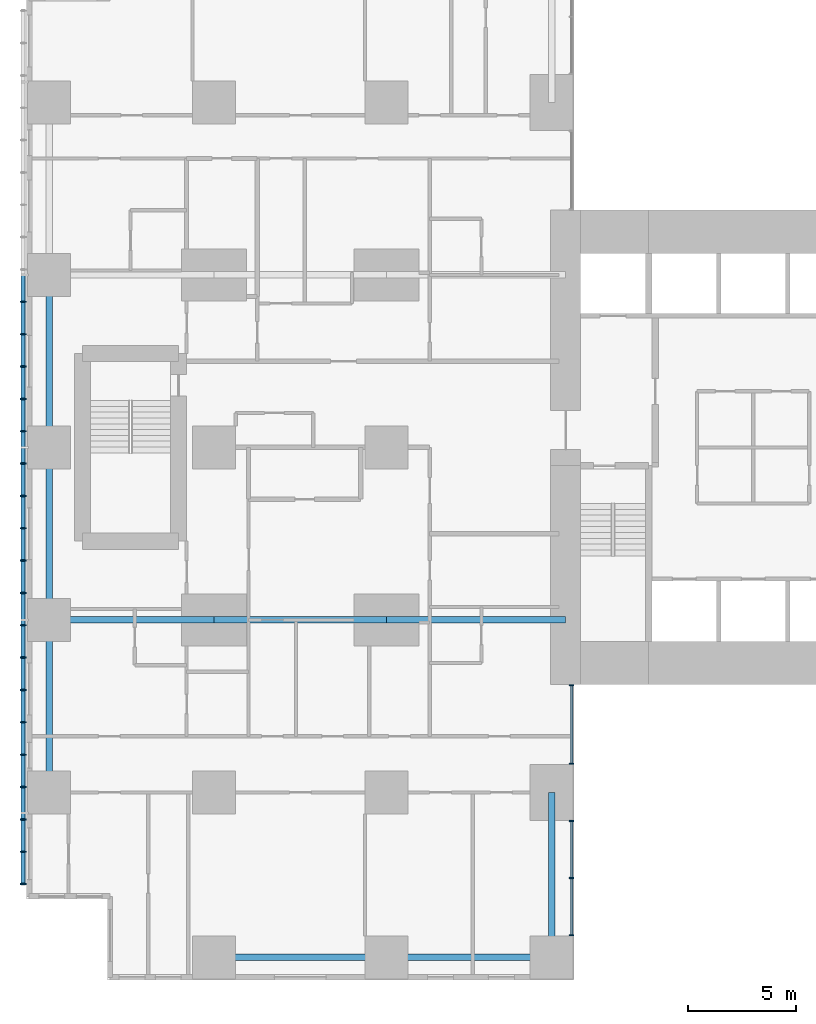
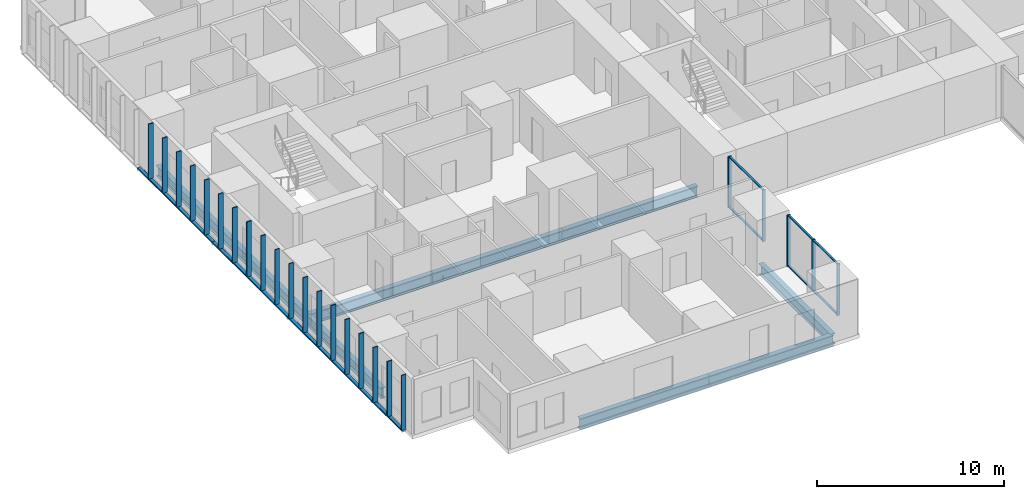
# One storey, part 2 of 20: 33 members, 9 beams, 2 elements without a shape of their own.
"""IFC4 building model written with IfcOpenShell, lengths in metres."""

from ifc_helpers import new_model, si_unit, direction, frame, origin, origin_2d, place, context, subcontext, project, spatial, rectangle, hollow_rectangle, i_section, extrude, material, layer, layer_set, material_profile, profile_set, type_object, element, aggregate, save


model = new_model("IFC4")

# Units and contexts
model_context = context("Model", 3, precision=1e-05, world=origin(), true_north=direction((0.0, 1.0)))
body_context = subcontext(model_context, "Body", "Model", "MODEL_VIEW")
ifc_project = project(units=[si_unit("LENGTHUNIT", "METRE"), si_unit("AREAUNIT", "SQUARE_METRE"), si_unit("VOLUMEUNIT", "CUBIC_METRE"), si_unit("PLANEANGLEUNIT", "RADIAN"), si_unit("MASSUNIT", "GRAM", prefix="KILO")], contexts=[model_context])

# Site, building, storey
site_placement = place(None, origin())
site = spatial("IfcSite", under=ifc_project, at=site_placement, CompositionType="ELEMENT")
building_placement = place(site_placement, origin())
building = spatial("IfcBuilding", under=site, at=building_placement, Name="Cleftline Residences", CompositionType="ELEMENT")
storey_placement = place(building_placement, frame((0.0, 0.0, 80.0)))
storey = spatial("IfcBuildingStorey", under=building, at=storey_placement, Name="L20", CompositionType="ELEMENT", Elevation=80.0)

# Members
ifc_material_1 = material(Name="Steel S355, hot-dip galvanised", Category="steel")
ifc_material_profile_1 = material_profile(ifc_material_1, hollow_rectangle(XDim=0.10009765625, YDim=0.199951171875, WallThickness=0.008056640625, InnerFilletRadius=0.008056640625, OuterFilletRadius=0.011962890625, at=origin_2d()))
ifc_profile_set_1 = profile_set([ifc_material_profile_1], Name="Steel S355, hot-dip galvanised")
member_type_1 = type_object("IfcMemberType", Name="BAGUETTE CARRIER RHS 200X100X8", PredefinedType="USERDEFINED", material=ifc_profile_set_1)
for number, where, z_axis, x_axis, name in (
    (1, (-0.85009765625, 32.0, -0.050048828125), (0.0, -1.0, 0.0), (0.0, 0.0, 1.0), "Baguette carrier"),
    (2, (-0.85009765625, 24.0, -0.050048828125), (0.0, -1.0, 0.0), (0.0, 0.0, 1.0), "Baguette carrier"),
):
    element("IfcMember", number, at=place(storey_placement, frame(where, z_axis=z_axis, x_axis=x_axis)), inside=storey, type_object=member_type_1, Name=name, ObjectType="BAGUETTE CARRIER", PredefinedType="USERDEFINED", context=body_context, shape_type="SweptSolid", body=[
        extrude(hollow_rectangle(XDim=0.10009765625, YDim=0.199951171875, WallThickness=0.008056640625, InnerFilletRadius=0.008056640625, OuterFilletRadius=0.011962890625, at=origin_2d()), origin(), (0.0, 0.0, 1.0), 8.0),
    ])
member_1_placement = place(storey_placement, frame((-0.85009765625, 16.0, -0.050048828125), z_axis=(0.0, -1.0, 0.0), x_axis=(0.0, 0.0, 1.0)))
element("IfcMember", 3, at=member_1_placement, inside=storey, type_object=member_type_1, Name="Baguette carrier", ObjectType="BAGUETTE CARRIER", PredefinedType="USERDEFINED", context=body_context, shape_type="SweptSolid", body=[
    extrude(hollow_rectangle(XDim=0.10009765625, YDim=0.199951171875, WallThickness=0.008056640625, InnerFilletRadius=0.008056640625, OuterFilletRadius=0.011962890625, at=origin_2d()), origin(), (0.0, 0.0, 1.0), 12.300048828125),
])

# Beams
ifc_material_2 = material(Name="Steel S355", Category="steel")
ifc_material_profile_2 = material_profile(ifc_material_2, i_section(OverallWidth=0.300048828125, OverallDepth=0.699951171875, WebThickness=0.01708984375, FlangeThickness=0.031982421875, FilletRadius=0.027099609375, at=origin_2d()))
ifc_profile_set_2 = profile_set([ifc_material_profile_2], Name="Steel S355")
beam_type_1 = type_object("IfcBeamType", Name="BEAM HEB 700", PredefinedType="BEAM", material=ifc_profile_set_2)
for number, where, z_axis, x_axis, name in (
    (4, (0.35009765625, 8.0, -0.60009765625), (0.0, 1.0, 0.0), (-1.0, 0.0, 0.0), "Edge beam"),
    (5, (0.35009765625, 16.0, -0.60009765625), (0.0, 1.0, 0.0), (-1.0, 0.0, 0.0), "Edge beam"),
    (6, (0.35009765625, 24.0, -0.60009765625), (0.0, 1.0, 0.0), (-1.0, 0.0, 0.0), "Edge beam"),
    (7, (8.0, 0.35009765625, -0.60009765625), (1.0, 0.0, 0.0), (0.0, 1.0, 0.0), "Edge beam"),
):
    element("IfcBeam", number, at=place(storey_placement, frame(where, z_axis=z_axis, x_axis=x_axis)), inside=storey, type_object=beam_type_1, Name=name, PredefinedType="BEAM", context=body_context, shape_type="SweptSolid", body=[
        extrude(i_section(OverallWidth=0.300048828125, OverallDepth=0.699951171875, WebThickness=0.01708984375, FlangeThickness=0.031982421875, FilletRadius=0.027099609375, at=origin_2d()), origin(), (0.0, 0.0, 1.0), 8.0),
    ])
for number, where, z_axis, x_axis, name in (
    (8, (16.0, 0.35009765625, -0.60009765625), (1.0, 0.0, 0.0), (0.0, 1.0, 0.0), "Edge beam"),
    (9, (23.64990234375, 0.35009765625, -0.60009765625), (0.0, 1.0, 0.0), (-1.0, 0.0, 0.0), "Edge beam"),
):
    element("IfcBeam", number, at=place(storey_placement, frame(where, z_axis=z_axis, x_axis=x_axis)), inside=storey, type_object=beam_type_1, Name=name, PredefinedType="BEAM", context=body_context, shape_type="SweptSolid", body=[
        extrude(i_section(OverallWidth=0.300048828125, OverallDepth=0.699951171875, WebThickness=0.01708984375, FlangeThickness=0.031982421875, FilletRadius=0.027099609375, at=origin_2d()), origin(), (0.0, 0.0, 1.0), 7.64990234375),
    ])
ifc_material_3 = material(Name="Steel S355", Category="steel")
ifc_material_profile_3 = material_profile(ifc_material_3, i_section(OverallWidth=0.303955078125, OverallDepth=0.716064453125, WebThickness=0.02099609375, FlangeThickness=0.0400390625, FilletRadius=0.027099609375, at=origin_2d()))
ifc_profile_set_3 = profile_set([ifc_material_profile_3], Name="Steel S355")
beam_type_2 = type_object("IfcBeamType", Name="BEAM HEM 700", PredefinedType="BEAM", material=ifc_profile_set_3)
beam_1_placement = place(storey_placement, frame((0.35009765625, 16.0, -0.60791015625), z_axis=(1.0, 0.0, 0.0), x_axis=(0.0, 1.0, 0.0)))
element("IfcBeam", 10, at=beam_1_placement, inside=storey, type_object=beam_type_2, Name="Band beam", PredefinedType="BEAM", context=body_context, shape_type="SweptSolid", body=[
    extrude(i_section(OverallWidth=0.303955078125, OverallDepth=0.716064453125, WebThickness=0.02099609375, FlangeThickness=0.0400390625, FilletRadius=0.027099609375, at=origin_2d()), origin(), (0.0, 0.0, 1.0), 7.64990234375),
])
beam_2_placement = place(storey_placement, frame((8.0, 16.0, -0.60791015625), z_axis=(1.0, 0.0, 0.0), x_axis=(0.0, 1.0, 0.0)))
element("IfcBeam", 11, at=beam_2_placement, inside=storey, type_object=beam_type_2, Name="Band beam", PredefinedType="BEAM", context=body_context, shape_type="SweptSolid", body=[
    extrude(i_section(OverallWidth=0.303955078125, OverallDepth=0.716064453125, WebThickness=0.02099609375, FlangeThickness=0.0400390625, FilletRadius=0.027099609375, at=origin_2d()), origin(), (0.0, 0.0, 1.0), 8.0),
])
beam_3_placement = place(storey_placement, frame((16.0, 16.0, -0.60791015625), z_axis=(1.0, 0.0, 0.0), x_axis=(0.0, 1.0, 0.0)))
element("IfcBeam", 12, at=beam_3_placement, inside=storey, type_object=beam_type_2, Name="Band beam", PredefinedType="BEAM", context=body_context, shape_type="SweptSolid", body=[
    extrude(i_section(OverallWidth=0.303955078125, OverallDepth=0.716064453125, WebThickness=0.02099609375, FlangeThickness=0.0400390625, FilletRadius=0.027099609375, at=origin_2d()), origin(), (0.0, 0.0, 1.0), 8.300048828125),
])

# Curtain wall, members
ifc_material_4 = material(Name="Aluminium framed curtain wall", Category="aluminium")
ifc_layer = layer(ifc_material_4, 0.199951171875)
ifc_layer_set = layer_set([ifc_layer], Name="CW1 CLEFT GLAZING")
curtain_wall_type = type_object("IfcCurtainWallType", Name="CW1 CLEFT GLAZING", PredefinedType="NOTDEFINED", material=ifc_layer_set)
curtain_wall_1_placement = place(storey_placement, origin())
curtain_wall_1 = element("IfcCurtainWall", 13, at=curtain_wall_1_placement, inside=storey, type_object=curtain_wall_type, Name="Curtain wall CW1", PredefinedType="NOTDEFINED")
ifc_material_5 = material(Name="Aluminium mullion", Category="aluminium")
ifc_material_profile_4 = material_profile(ifc_material_5, rectangle(XDim=0.199951171875, YDim=0.06005859375, at=origin_2d()))
ifc_profile_set_4 = profile_set([ifc_material_profile_4], Name="Aluminium mullion")
member_type_2 = type_object("IfcMemberType", Name="CW1 MULLION", PredefinedType="MULLION", material=ifc_profile_set_4)
member_2_placement = place(storey_placement, frame((24.574951171875, 1.3798828125, 0.0), z_axis=(0.0, 0.0, 1.0), x_axis=(-1.0, 0.0, 0.0)))
member_2 = element("IfcMember", 14, at=member_2_placement, type_object=member_type_2, Name="CW1 mullion 1", PredefinedType="MULLION", context=body_context, shape_type="SweptSolid", body=[
    extrude(rectangle(XDim=0.199951171875, YDim=0.06005859375, at=origin_2d()), origin(), (0.0, 0.0, 1.0), 3.35009765625),
])
member_3_placement = place(storey_placement, frame((24.574951171875, 4.02490234375, 0.0), z_axis=(0.0, 0.0, 1.0), x_axis=(-1.0, 0.0, 0.0)))
member_3 = element("IfcMember", 15, at=member_3_placement, type_object=member_type_2, Name="CW1 mullion 2", PredefinedType="MULLION", context=body_context, shape_type="SweptSolid", body=[
    extrude(rectangle(XDim=0.199951171875, YDim=0.06005859375, at=origin_2d()), origin(), (0.0, 0.0, 1.0), 3.35009765625),
])
member_4_placement = place(storey_placement, frame((24.574951171875, 6.669921875, 0.0), z_axis=(0.0, 0.0, 1.0), x_axis=(-1.0, 0.0, 0.0)))
member_4 = element("IfcMember", 16, at=member_4_placement, type_object=member_type_2, Name="CW1 mullion 3", PredefinedType="MULLION", context=body_context, shape_type="SweptSolid", body=[
    extrude(rectangle(XDim=0.199951171875, YDim=0.06005859375, at=origin_2d()), origin(), (0.0, 0.0, 1.0), 3.35009765625),
])

curtain_wall_2_placement = place(storey_placement, origin())
curtain_wall_2 = element("IfcCurtainWall", 17, at=curtain_wall_2_placement, inside=storey, type_object=curtain_wall_type, Name="Curtain wall CW1", PredefinedType="NOTDEFINED")
member_5_placement = place(storey_placement, frame((24.574951171875, 9.330078125, 0.0), z_axis=(0.0, 0.0, 1.0), x_axis=(-1.0, 0.0, 0.0)))
member_5 = element("IfcMember", 18, at=member_5_placement, type_object=member_type_2, Name="CW1 mullion 1", PredefinedType="MULLION", context=body_context, shape_type="SweptSolid", body=[
    extrude(rectangle(XDim=0.199951171875, YDim=0.06005859375, at=origin_2d()), origin(), (0.0, 0.0, 1.0), 3.35009765625),
])
member_6_placement = place(storey_placement, frame((24.574951171875, 12.969970703125, 0.0), z_axis=(0.0, 0.0, 1.0), x_axis=(-1.0, 0.0, 0.0)))
member_6 = element("IfcMember", 19, at=member_6_placement, type_object=member_type_2, Name="CW1 mullion 2", PredefinedType="MULLION", context=body_context, shape_type="SweptSolid", body=[
    extrude(rectangle(XDim=0.199951171875, YDim=0.06005859375, at=origin_2d()), origin(), (0.0, 0.0, 1.0), 3.35009765625),
])

# Member
ifc_material_6 = material(Name="Aluminium transom", Category="aluminium")
ifc_material_profile_5 = material_profile(ifc_material_6, rectangle(XDim=0.1201171875, YDim=0.06005859375, at=origin_2d()))
ifc_profile_set_5 = profile_set([ifc_material_profile_5], Name="Aluminium transom")
member_type_3 = type_object("IfcMemberType", Name="CW1 TRANSOM", PredefinedType="USERDEFINED", material=ifc_profile_set_5)
member_7_placement = place(storey_placement, frame((24.574951171875, 1.409912109375, 0.030029296875), z_axis=(0.0, 1.0, 0.0), x_axis=(-1.0, 0.0, 0.0)))
member_7 = element("IfcMember", 20, at=member_7_placement, type_object=member_type_3, Name="CW1 transom 1.1", ObjectType="TRANSOM", PredefinedType="USERDEFINED", context=body_context, shape_type="SweptSolid", body=[
    extrude(rectangle(XDim=0.1201171875, YDim=0.06005859375, at=origin_2d()), origin(), (0.0, 0.0, 1.0), 2.585205078125),
])

member_8_placement = place(storey_placement, frame((24.574951171875, 1.409912109375, 3.320068359375), z_axis=(0.0, 1.0, 0.0), x_axis=(-1.0, 0.0, 0.0)))
member_8 = element("IfcMember", 21, at=member_8_placement, type_object=member_type_3, Name="CW1 transom 1.2", ObjectType="TRANSOM", PredefinedType="USERDEFINED", context=body_context, shape_type="SweptSolid", body=[
    extrude(rectangle(XDim=0.1201171875, YDim=0.06005859375, at=origin_2d()), origin(), (0.0, 0.0, 1.0), 2.585205078125),
])

member_9_placement = place(storey_placement, frame((24.574951171875, 4.054931640625, 0.030029296875), z_axis=(0.0, 1.0, 0.0), x_axis=(-1.0, 0.0, 0.0)))
member_9 = element("IfcMember", 22, at=member_9_placement, type_object=member_type_3, Name="CW1 transom 2.1", ObjectType="TRANSOM", PredefinedType="USERDEFINED", context=body_context, shape_type="SweptSolid", body=[
    extrude(rectangle(XDim=0.1201171875, YDim=0.06005859375, at=origin_2d()), origin(), (0.0, 0.0, 1.0), 2.5849609375),
])

member_10_placement = place(storey_placement, frame((24.574951171875, 4.054931640625, 3.320068359375), z_axis=(0.0, 1.0, 0.0), x_axis=(-1.0, 0.0, 0.0)))
member_10 = element("IfcMember", 23, at=member_10_placement, type_object=member_type_3, Name="CW1 transom 2.2", ObjectType="TRANSOM", PredefinedType="USERDEFINED", context=body_context, shape_type="SweptSolid", body=[
    extrude(rectangle(XDim=0.1201171875, YDim=0.06005859375, at=origin_2d()), origin(), (0.0, 0.0, 1.0), 2.5849609375),
])

aggregate(curtain_wall_1, [member_2, member_3, member_4, member_7, member_8, member_9, member_10])

member_11_placement = place(storey_placement, frame((24.574951171875, 9.360107421875, 0.030029296875), z_axis=(0.0, 1.0, 0.0), x_axis=(-1.0, 0.0, 0.0)))
member_11 = element("IfcMember", 24, at=member_11_placement, type_object=member_type_3, Name="CW1 transom 1.1", ObjectType="TRANSOM", PredefinedType="USERDEFINED", context=body_context, shape_type="SweptSolid", body=[
    extrude(rectangle(XDim=0.1201171875, YDim=0.06005859375, at=origin_2d()), origin(), (0.0, 0.0, 1.0), 3.579833984375),
])

member_12_placement = place(storey_placement, frame((24.574951171875, 9.360107421875, 3.320068359375), z_axis=(0.0, 1.0, 0.0), x_axis=(-1.0, 0.0, 0.0)))
member_12 = element("IfcMember", 25, at=member_12_placement, type_object=member_type_3, Name="CW1 transom 1.2", ObjectType="TRANSOM", PredefinedType="USERDEFINED", context=body_context, shape_type="SweptSolid", body=[
    extrude(rectangle(XDim=0.1201171875, YDim=0.06005859375, at=origin_2d()), origin(), (0.0, 0.0, 1.0), 3.579833984375),
])

aggregate(curtain_wall_2, [member_5, member_6, member_11, member_12])

# Members
ifc_material_7 = material(Name="Extruded terracotta", Category="masonry")
ifc_material_profile_6 = material_profile(ifc_material_7, rectangle(XDim=0.06005859375, YDim=0.300048828125, at=origin_2d()))
ifc_profile_set_6 = profile_set([ifc_material_profile_6], Name="Extruded terracotta")
member_type_4 = type_object("IfcMemberType", Name="TERRACOTTA BAGUETTE 60X300", PredefinedType="USERDEFINED", material=ifc_profile_set_6)
for number, where, z_axis, x_axis, name in (
    (26, (-0.85009765625, 30.75, 0.0), (0.0, 0.0, 1.0), (0.0, 1.0, 0.0), "Terracotta baguette"),
    (27, (-0.85009765625, 29.25, 0.0), (0.0, 0.0, 1.0), (0.0, 1.0, 0.0), "Terracotta baguette"),
    (28, (-0.85009765625, 27.75, 0.0), (0.0, 0.0, 1.0), (0.0, 1.0, 0.0), "Terracotta baguette"),
    (29, (-0.85009765625, 26.25, 0.0), (0.0, 0.0, 1.0), (0.0, 1.0, 0.0), "Terracotta baguette"),
    (30, (-0.85009765625, 24.75, 0.0), (0.0, 0.0, 1.0), (0.0, 1.0, 0.0), "Terracotta baguette"),
    (31, (-0.85009765625, 23.25, 0.0), (0.0, 0.0, 1.0), (0.0, 1.0, 0.0), "Terracotta baguette"),
    (32, (-0.85009765625, 21.75, 0.0), (0.0, 0.0, 1.0), (0.0, 1.0, 0.0), "Terracotta baguette"),
    (33, (-0.85009765625, 20.25, 0.0), (0.0, 0.0, 1.0), (0.0, 1.0, 0.0), "Terracotta baguette"),
    (34, (-0.85009765625, 18.75, 0.0), (0.0, 0.0, 1.0), (0.0, 1.0, 0.0), "Terracotta baguette"),
    (35, (-0.85009765625, 17.25, 0.0), (0.0, 0.0, 1.0), (0.0, 1.0, 0.0), "Terracotta baguette"),
    (36, (-0.85009765625, 15.75, 0.0), (0.0, 0.0, 1.0), (0.0, 1.0, 0.0), "Terracotta baguette"),
    (37, (-0.85009765625, 14.25, 0.0), (0.0, 0.0, 1.0), (0.0, 1.0, 0.0), "Terracotta baguette"),
    (38, (-0.85009765625, 12.75, 0.0), (0.0, 0.0, 1.0), (0.0, 1.0, 0.0), "Terracotta baguette"),
    (39, (-0.85009765625, 11.25, 0.0), (0.0, 0.0, 1.0), (0.0, 1.0, 0.0), "Terracotta baguette"),
    (40, (-0.85009765625, 9.75, 0.0), (0.0, 0.0, 1.0), (0.0, 1.0, 0.0), "Terracotta baguette"),
    (41, (-0.85009765625, 8.25, 0.0), (0.0, 0.0, 1.0), (0.0, 1.0, 0.0), "Terracotta baguette"),
    (42, (-0.85009765625, 6.75, 0.0), (0.0, 0.0, 1.0), (0.0, 1.0, 0.0), "Terracotta baguette"),
    (43, (-0.85009765625, 5.25, 0.0), (0.0, 0.0, 1.0), (0.0, 1.0, 0.0), "Terracotta baguette"),
    (44, (-0.85009765625, 3.75, 0.0), (0.0, 0.0, 1.0), (0.0, 1.0, 0.0), "Terracotta baguette"),
):
    element("IfcMember", number, at=place(storey_placement, frame(where, z_axis=z_axis, x_axis=x_axis)), inside=storey, type_object=member_type_4, Name=name, ObjectType="BAGUETTE", PredefinedType="USERDEFINED", context=body_context, shape_type="SweptSolid", body=[
        extrude(rectangle(XDim=0.06005859375, YDim=0.300048828125, at=origin_2d()), origin(), (0.0, 0.0, 1.0), 3.60009765625),
    ])

save(model, "model.ifc")
